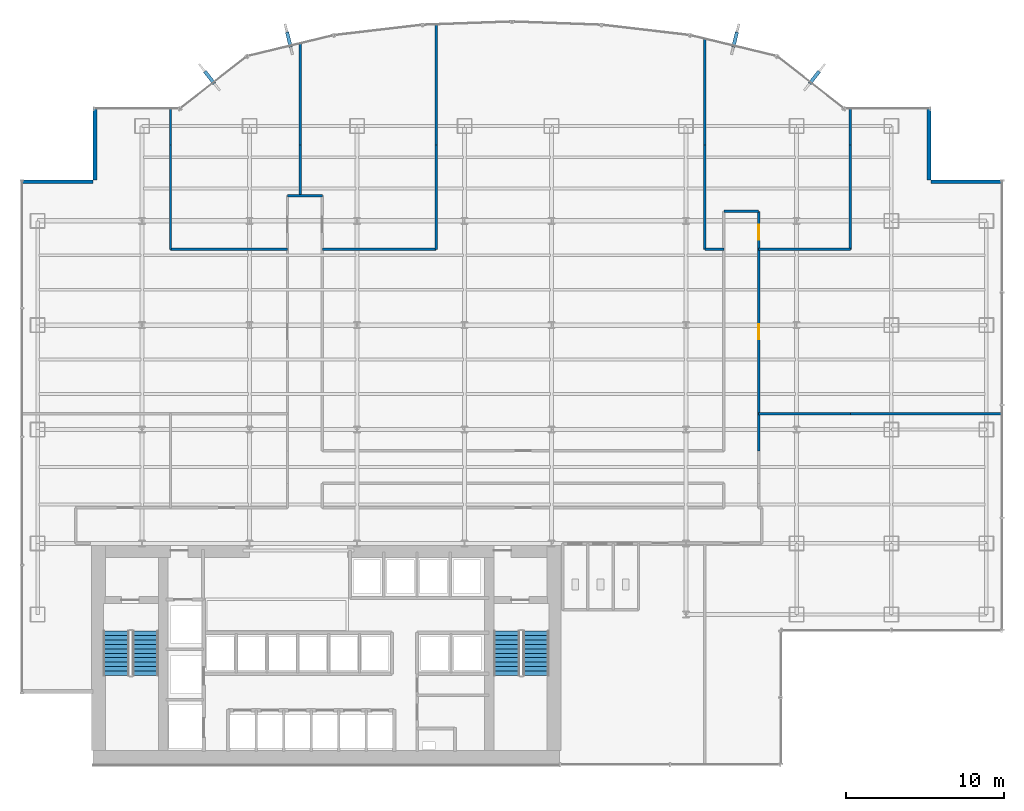
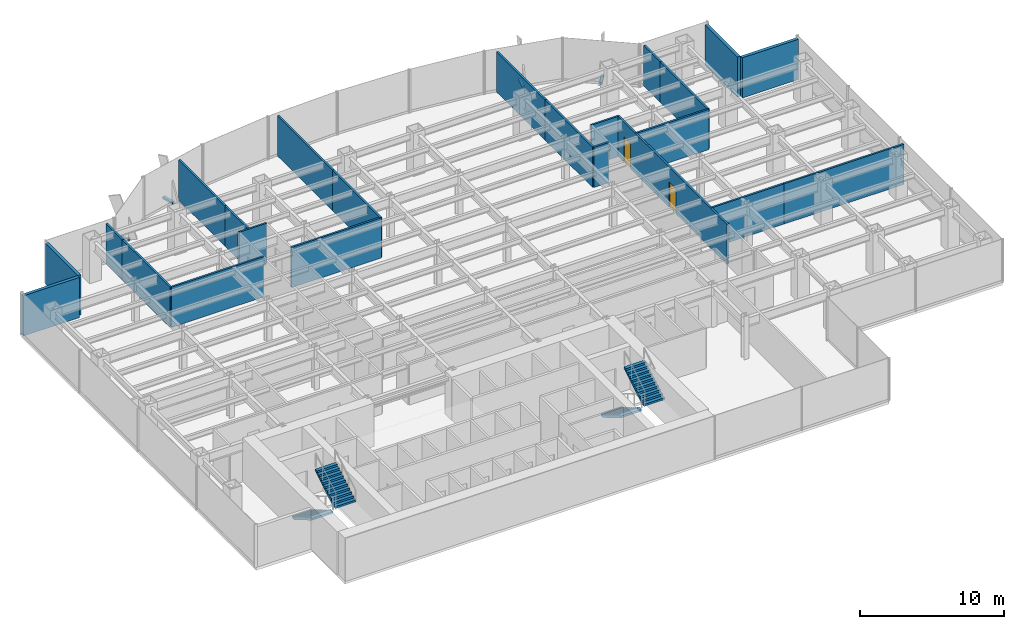
# One storey, part 19 of 22: 23 walls, 4 discrete accessories, 4 stair flights, 2 doors, 2 openings, 2 elements without a shape of their own.
"""IFC4 building model written with IfcOpenShell, lengths in metres."""

from ifc_helpers import new_model, si_unit, derived_unit, direction, frame, frame_2d, origin, origin_2d, place, context, subcontext, project, spatial, polyline, rectangle, outline, extrude, source, transform, mapped, material, layer, layer_set, type_object, element, fill, aggregate, save


model = new_model("IFC4")

# Units and contexts
model_context = context("Model", 3, precision=1e-05, world=origin(), true_north=direction((0.0, 1.0)))
body_context = subcontext(model_context, "Body", "Model", "MODEL_VIEW")
ifc_project = project(units=[si_unit("LENGTHUNIT", "METRE"), si_unit("AREAUNIT", "SQUARE_METRE"), si_unit("VOLUMEUNIT", "CUBIC_METRE"), si_unit("PLANEANGLEUNIT", "RADIAN"), si_unit("MASSUNIT", "GRAM", prefix="KILO"), derived_unit("THERMALTRANSMITTANCEUNIT", [(si_unit("POWERUNIT", "WATT"), 1), (si_unit("LENGTHUNIT", "METRE"), -2), (si_unit("THERMODYNAMICTEMPERATUREUNIT", "KELVIN"), -1)])], contexts=[model_context])

# Site, building, storey
site_placement = place(None, origin())
site = spatial("IfcSite", under=ifc_project, at=site_placement, CompositionType="ELEMENT")
building_placement = place(site_placement, origin())
building = spatial("IfcBuilding", under=site, at=building_placement, Name="Skarnbrae Concourse Arena and Tower", CompositionType="ELEMENT")
storey_placement = place(building_placement, frame((0.0, 0.0, 58.050048828125)))
storey = spatial("IfcBuildingStorey", under=building, at=storey_placement, Name="L13", CompositionType="ELEMENT", Elevation=58.050048828125)

# Walls
ifc_material_1 = material(Name="Precast concrete 40 MPa (C40/50)", Category="concrete")
ifc_layer_1 = layer(ifc_material_1, 0.25)
ifc_layer_set_1 = layer_set([ifc_layer_1], Name="Precast concrete 40 MPa (C40/50)")
wall_type_1 = type_object("IfcWallType", Name="WALL-EXT-SPANDREL-250", PredefinedType="STANDARD", material=ifc_layer_set_1)
shared_shape_1 = source(origin(), body_context, "Body", "SweptSolid", [
    extrude(rectangle(XDim=4.5, YDim=0.25, at=frame_2d((2.25, 0.0))), origin(), (0.0, 0.0, 1.0), 3.39990234375),
])
for number, where, z_axis, x_axis, name in (
    (1, (62.0, 36.875, 0.0), (0.0, 0.0, 1.0), (-1.0, 0.0, 0.0), "L13 Notched corner insulated return wall 05"),
    (2, (57.375, 37.0, 0.0), (0.0, 0.0, 1.0), (0.0, 1.0, 0.0), "L13 Notched corner insulated return wall 06"),
    (3, (4.625, 41.5, 0.0), (0.0, 0.0, 1.0), (0.0, -1.0, 0.0), "L13 Notched corner insulated return wall 17"),
    (4, (4.5, 36.875, 0.0), (0.0, 0.0, 1.0), (-1.0, 0.0, 0.0), "L13 Notched corner insulated return wall 18"),
):
    element("IfcWall", number, at=place(storey_placement, frame(where, z_axis=z_axis, x_axis=x_axis)), inside=storey, type_object=wall_type_1, Name=name, PredefinedType="STANDARD", context=body_context, shape_type="MappedRepresentation", body=[
        mapped(shared_shape_1, transform((0.0, 0.0, 0.0))),
    ])
ifc_material_2 = material(Name="Gypsum board on cold-formed steel studs", Category="steel")
ifc_layer_2 = layer(ifc_material_2, 0.14990234375)
ifc_layer_set_2 = layer_set([ifc_layer_2], Name="Gypsum board on cold-formed steel studs")
wall_type_2 = type_object("IfcWallType", Name="WALL-PART-150-1HR", PredefinedType="PARTITIONING", material=ifc_layer_set_2)
shared_shape_2 = source(origin(), body_context, "Body", "SweptSolid", [
    extrude(rectangle(XDim=2.2001953125, YDim=0.14990234375, at=frame_2d((1.10009765625, 0.0))), origin(), (0.0, 0.0, 1.0), 3.39990234375),
])
wall_1_placement = place(storey_placement, frame((44.39990234375, 35.0, 0.0), z_axis=(0.0, 0.0, 1.0), x_axis=(1.0, 0.0, 0.0)))
element("IfcWall", 5, at=wall_1_placement, inside=storey, type_object=wall_type_2, Name="L13 Interior partition wall W-L13-COR-11", PredefinedType="PARTITIONING", context=body_context, shape_type="MappedRepresentation", body=[
    mapped(shared_shape_2, transform((0.0, 0.0, 0.0))),
])
shared_shape_3 = source(origin(), body_context, "Body", "SweptSolid", [
    extrude(rectangle(XDim=2.199951171875, YDim=0.14990234375, at=frame_2d((1.10009765625, 0.0))), origin(), (0.0, 0.0, 1.0), 3.39990234375),
])
wall_2_placement = place(storey_placement, frame((16.800048828125, 36.0, 0.0), z_axis=(0.0, 0.0, 1.0), x_axis=(1.0, 0.0, 0.0)))
element("IfcWall", 6, at=wall_2_placement, inside=storey, type_object=wall_type_2, Name="L13 Interior partition wall W-L13-COR-07", PredefinedType="PARTITIONING", context=body_context, shape_type="MappedRepresentation", body=[
    mapped(shared_shape_3, transform((0.0, 0.0, 0.0))),
])

# Wall, openings, doors
shared_shape_4 = source(origin(), body_context, "Body", "SweptSolid", [
    extrude(rectangle(XDim=15.14990234375, YDim=0.14990234375, at=frame_2d((7.574951171875, 0.0))), origin(), (0.0, 0.0, 1.0), 3.39990234375),
])
wall_3_placement = place(storey_placement, frame((46.60009765625, 35.0, 0.0), z_axis=(0.0, 0.0, 1.0), x_axis=(0.0, -1.0, 0.0)))
wall_3 = element("IfcWall", 7, at=wall_3_placement, inside=storey, type_object=wall_type_2, Name="L13 Interior partition wall W-L13-COR-12", PredefinedType="PARTITIONING", context=body_context, shape_type="MappedRepresentation", body=[
    mapped(shared_shape_4, transform((0.0, 0.0, 0.0))),
])
opening_1_placement = place(wall_3_placement, frame((0.85498046875, 0.0, 0.0)))
opening_1 = element("IfcOpeningElement", 8, at=opening_1_placement, cuts=wall_3, Name="Opening DT-04", PredefinedType="OPENING", context=body_context, shape_type="SweptSolid", body=[
    extrude(rectangle(XDim=0.949951171875, YDim=2.14990234375, at=frame_2d((0.47509765625, 1.074951171875))), frame((0.0, 0.0849609375, 0.0), z_axis=(0.0, -1.0, 0.0), x_axis=(1.0, 0.0, 0.0)), (0.0, 0.0, 1.0), 0.169921875),
])
opening_2_placement = place(wall_3_placement, frame((7.125, 0.0, 0.0)))
opening_2 = element("IfcOpeningElement", 9, at=opening_2_placement, cuts=wall_3, Name="Opening DT-04", PredefinedType="OPENING", context=body_context, shape_type="SweptSolid", body=[
    extrude(rectangle(XDim=0.949951171875, YDim=2.14990234375, at=frame_2d((0.47509765625, 1.074951171875))), frame((0.0, 0.0849609375, 0.0), z_axis=(0.0, -1.0, 0.0), x_axis=(1.0, 0.0, 0.0)), (0.0, 0.0, 1.0), 0.169921875),
])
ifc_material_3 = material(Name="Steel CSA G40.21 350W", Category="steel")
door_type = type_object("IfcDoorType", Name="DOOR-INT-950-45M", OperationType="NOTDEFINED", PredefinedType="DOOR", material=ifc_material_3)
shared_shape_5 = source(origin(), body_context, "Body", "SweptSolid", [
    extrude(rectangle(XDim=0.949951171875, YDim=2.14990234375, at=frame_2d((0.47509765625, 1.074951171875))), frame((0.0, 0.02490234375, 0.0), z_axis=(0.0, -1.0, 0.0), x_axis=(1.0, 0.0, 0.0)), (0.0, 0.0, 1.0), 0.050048828125),
])
door_1_placement = place(opening_1_placement, origin())
door_1 = element("IfcDoor", 10, at=door_1_placement, inside=storey, type_object=door_type, Name="D-0547 L13 Suite Door 09", OperationType="SINGLE_SWING_RIGHT", OverallHeight=2.14990234375, OverallWidth=0.949951171875, PredefinedType="DOOR", context=body_context, shape_type="MappedRepresentation", body=[
    mapped(shared_shape_5, transform((0.0, 0.0, 0.0))),
])
fill(opening_1, door_1)
door_2_placement = place(opening_2_placement, origin())
door_2 = element("IfcDoor", 11, at=door_2_placement, inside=storey, type_object=door_type, Name="D-0549 L13 Suite Door 11", OperationType="SINGLE_SWING_RIGHT", OverallHeight=2.14990234375, OverallWidth=0.949951171875, PredefinedType="DOOR", context=body_context, shape_type="MappedRepresentation", body=[
    mapped(shared_shape_5, transform((0.0, 0.0, 0.0))),
])
fill(opening_2, door_2)

# Walls
ifc_layer_3 = layer(ifc_material_2, 0.14990234375)
ifc_layer_set_3 = layer_set([ifc_layer_3], Name="Gypsum board on cold-formed steel studs")
wall_type_3 = type_object("IfcWallType", Name="WALL-PART-150", PredefinedType="PARTITIONING", material=ifc_layer_set_3)
shared_shape_6 = source(origin(), body_context, "Body", "SweptSolid", [
    extrude(rectangle(XDim=7.400146484375, YDim=0.14990234375, at=frame_2d((3.7001953125, 0.0))), origin(), (0.0, 0.0, 1.0), 3.39990234375),
])
wall_4_placement = place(storey_placement, frame((9.39990234375, 32.60009765625, 0.0), z_axis=(0.0, 0.0, 1.0), x_axis=(1.0, 0.0, 0.0)))
element("IfcWall", 12, at=wall_4_placement, inside=storey, type_object=wall_type_3, Name="L13 Interior partition wall W-L13-DEM-27", PredefinedType="PARTITIONING", context=body_context, shape_type="MappedRepresentation", body=[
    mapped(shared_shape_6, transform((0.0, 0.0, 0.0))),
])
shared_shape_7 = source(origin(), body_context, "Body", "SweptSolid", [
    extrude(rectangle(XDim=2.280029296875, YDim=0.14990234375, at=frame_2d((1.14013671875, 0.0))), origin(), (0.0, 0.0, 1.0), 3.39990234375),
])
for number, where, z_axis, x_axis, name in (
    (13, (9.39990234375, 41.47998046875, 0.0), (0.0, 0.0, 1.0), (0.0, -1.0, 0.0), "L13 Interior partition wall W-L13-DEM-25"),
    (14, (52.39990234375, 41.47998046875, 0.0), (0.0, 0.0, 1.0), (0.0, -1.0, 0.0), "L13 Interior partition wall W-L13-DEM-39"),
):
    element("IfcWall", number, at=place(storey_placement, frame(where, z_axis=z_axis, x_axis=x_axis)), inside=storey, type_object=wall_type_3, Name=name, PredefinedType="PARTITIONING", context=body_context, shape_type="MappedRepresentation", body=[
        mapped(shared_shape_7, transform((0.0, 0.0, 0.0))),
    ])
shared_shape_8 = source(origin(), body_context, "Body", "SweptSolid", [
    extrude(rectangle(XDim=6.599853515625, YDim=0.14990234375, at=frame_2d((3.2998046875, 0.0))), origin(), (0.0, 0.0, 1.0), 3.39990234375),
])
for number, where, z_axis, x_axis, name in (
    (15, (9.39990234375, 39.199951171875, 0.0), (0.0, 0.0, 1.0), (0.0, -1.0, 0.0), "L13 Interior partition wall W-L13-DEM-26"),
    (16, (26.199951171875, 39.199951171875, 0.0), (0.0, 0.0, 1.0), (0.0, -1.0, 0.0), "L13 Interior partition wall W-L13-DEM-31"),
    (17, (43.199951171875, 39.199951171875, 0.0), (0.0, 0.0, 1.0), (0.0, -1.0, 0.0), "L13 Interior partition wall W-L13-DEM-35"),
    (18, (52.39990234375, 39.199951171875, 0.0), (0.0, 0.0, 1.0), (0.0, -1.0, 0.0), "L13 Interior partition wall W-L13-DEM-40"),
):
    element("IfcWall", number, at=place(storey_placement, frame(where, z_axis=z_axis, x_axis=x_axis)), inside=storey, type_object=wall_type_3, Name=name, PredefinedType="PARTITIONING", context=body_context, shape_type="MappedRepresentation", body=[
        mapped(shared_shape_8, transform((0.0, 0.0, 0.0))),
    ])
shared_shape_9 = source(origin(), body_context, "Body", "SweptSolid", [
    extrude(rectangle(XDim=6.4052734375, YDim=0.14990234375, at=frame_2d((3.20263671875, 0.0))), origin(), (0.0, 0.0, 1.0), 3.39990234375),
])
wall_5_placement = place(storey_placement, frame((17.60009765625, 45.605224609375, 0.0), z_axis=(0.0, 0.0, 1.0), x_axis=(0.0, -1.0, 0.0)))
element("IfcWall", 19, at=wall_5_placement, inside=storey, type_object=wall_type_3, Name="L13 Interior partition wall W-L13-DEM-28", PredefinedType="PARTITIONING", context=body_context, shape_type="MappedRepresentation", body=[
    mapped(shared_shape_9, transform((0.0, 0.0, 0.0))),
])
shared_shape_10 = source(origin(), body_context, "Body", "SweptSolid", [
    extrude(rectangle(XDim=3.199951171875, YDim=0.14990234375, at=frame_2d((1.60009765625, 0.0))), origin(), (0.0, 0.0, 1.0), 3.39990234375),
])
wall_6_placement = place(storey_placement, frame((17.60009765625, 39.199951171875, 0.0), z_axis=(0.0, 0.0, 1.0), x_axis=(0.0, -1.0, 0.0)))
element("IfcWall", 20, at=wall_6_placement, inside=storey, type_object=wall_type_3, Name="L13 Interior partition wall W-L13-DEM-29", PredefinedType="PARTITIONING", context=body_context, shape_type="MappedRepresentation", body=[
    mapped(shared_shape_10, transform((0.0, 0.0, 0.0))),
])
shared_shape_11 = source(origin(), body_context, "Body", "SweptSolid", [
    extrude(rectangle(XDim=7.607666015625, YDim=0.14990234375, at=frame_2d((3.8037109375, 0.0))), origin(), (0.0, 0.0, 1.0), 3.39990234375),
])
wall_7_placement = place(storey_placement, frame((26.199951171875, 46.8076171875, 0.0), z_axis=(0.0, 0.0, 1.0), x_axis=(0.0, -1.0, 0.0)))
element("IfcWall", 21, at=wall_7_placement, inside=storey, type_object=wall_type_3, Name="L13 Interior partition wall W-L13-DEM-30", PredefinedType="PARTITIONING", context=body_context, shape_type="MappedRepresentation", body=[
    mapped(shared_shape_11, transform((0.0, 0.0, 0.0))),
])
shared_shape_12 = source(origin(), body_context, "Body", "SweptSolid", [
    extrude(rectangle(XDim=7.199951171875, YDim=0.14990234375, at=frame_2d((3.60009765625, 0.0))), origin(), (0.0, 0.0, 1.0), 3.39990234375),
])
wall_8_placement = place(storey_placement, frame((26.199951171875, 32.60009765625, 0.0), z_axis=(0.0, 0.0, 1.0), x_axis=(-1.0, 0.0, 0.0)))
element("IfcWall", 22, at=wall_8_placement, inside=storey, type_object=wall_type_3, Name="L13 Interior partition wall W-L13-DEM-32", PredefinedType="PARTITIONING", context=body_context, shape_type="MappedRepresentation", body=[
    mapped(shared_shape_12, transform((0.0, 0.0, 0.0))),
])
shared_shape_13 = source(origin(), body_context, "Body", "SweptSolid", [
    extrude(rectangle(XDim=6.695556640625, YDim=0.14990234375, at=frame_2d((3.34765625, 0.0))), origin(), (0.0, 0.0, 1.0), 3.39990234375),
])
wall_9_placement = place(storey_placement, frame((43.199951171875, 45.8955078125, 0.0), z_axis=(0.0, 0.0, 1.0), x_axis=(0.0, -1.0, 0.0)))
element("IfcWall", 23, at=wall_9_placement, inside=storey, type_object=wall_type_3, Name="L13 Interior partition wall W-L13-DEM-34", PredefinedType="PARTITIONING", context=body_context, shape_type="MappedRepresentation", body=[
    mapped(shared_shape_13, transform((0.0, 0.0, 0.0))),
])
shared_shape_14 = source(origin(), body_context, "Body", "SweptSolid", [
    extrude(rectangle(XDim=1.199951171875, YDim=0.14990234375, at=frame_2d((0.60009765625, 0.0))), origin(), (0.0, 0.0, 1.0), 3.39990234375),
])
wall_10_placement = place(storey_placement, frame((43.199951171875, 32.60009765625, 0.0), z_axis=(0.0, 0.0, 1.0), x_axis=(1.0, 0.0, 0.0)))
element("IfcWall", 24, at=wall_10_placement, inside=storey, type_object=wall_type_3, Name="L13 Interior partition wall W-L13-DEM-36", PredefinedType="PARTITIONING", context=body_context, shape_type="MappedRepresentation", body=[
    mapped(shared_shape_14, transform((0.0, 0.0, 0.0))),
])
shared_shape_15 = source(origin(), body_context, "Body", "SweptSolid", [
    extrude(rectangle(XDim=5.7998046875, YDim=0.14990234375, at=frame_2d((2.89990234375, 0.0))), origin(), (0.0, 0.0, 1.0), 3.39990234375),
])
for number, where, z_axis, x_axis, name in (
    (25, (46.60009765625, 22.199951171875, 0.0), (0.0, 0.0, 1.0), (1.0, 0.0, 0.0), "L13 Interior partition wall W-L13-DEM-37"),
    (26, (52.39990234375, 32.60009765625, 0.0), (0.0, 0.0, 1.0), (-1.0, 0.0, 0.0), "L13 Interior partition wall W-L13-DEM-41"),
):
    element("IfcWall", number, at=place(storey_placement, frame(where, z_axis=z_axis, x_axis=x_axis)), inside=storey, type_object=wall_type_3, Name=name, PredefinedType="PARTITIONING", context=body_context, shape_type="MappedRepresentation", body=[
        mapped(shared_shape_15, transform((0.0, 0.0, 0.0))),
    ])
shared_shape_16 = source(origin(), body_context, "Body", "SweptSolid", [
    extrude(rectangle(XDim=9.580078125, YDim=0.14990234375, at=frame_2d((4.7900390625, 0.0))), origin(), (0.0, 0.0, 1.0), 3.39990234375),
])
wall_11_placement = place(storey_placement, frame((52.39990234375, 22.199951171875, 0.0), z_axis=(0.0, 0.0, 1.0), x_axis=(1.0, 0.0, 0.0)))
element("IfcWall", 27, at=wall_11_placement, inside=storey, type_object=wall_type_3, Name="L13 Interior partition wall W-L13-DEM-38", PredefinedType="PARTITIONING", context=body_context, shape_type="MappedRepresentation", body=[
    mapped(shared_shape_16, transform((0.0, 0.0, 0.0))),
])

# Stair, stair flights
ifc_material_4 = material(Name="Concrete 40 MPa (C40/50)", Category="concrete")
stair_type = type_object("IfcStairType", Name="STAIR-DOGLEG-1650", PredefinedType="HALF_TURN_STAIR", material=ifc_material_4)
stair_1_placement = place(storey_placement, origin())
stair_1 = element("IfcStair", 28, at=stair_1_placement, inside=storey, type_object=stair_type, Name="L13 Protected Exit Stair ST-1", PredefinedType="HALF_TURN_STAIR")
stair_flight_type = type_object("IfcStairFlightType", Name="FLIGHT-STRAIGHT-1650", PredefinedType="STRAIGHT", material=ifc_material_4)
shared_shape_17 = source(origin(), body_context, "Body", "SweptSolid", [
    extrude(outline(polyline([(0.0, 0.0), (0.0, 0.166015625), (0.280029296875, 0.166015625), (0.280029296875, 0.331787109375), (0.56005859375, 0.331787109375), (0.56005859375, 0.497802734375), (0.840087890625, 0.497802734375), (0.840087890625, 0.66357421875), (1.1201171875, 0.66357421875), (1.1201171875, 0.82958984375), (1.39990234375, 0.82958984375), (1.39990234375, 0.995361328125), (1.679931640625, 0.995361328125), (1.679931640625, 1.161376953125), (1.9599609375, 1.161376953125), (1.9599609375, 1.327392578125), (2.239990234375, 1.327392578125), (2.239990234375, 1.4931640625), (2.52001953125, 1.4931640625), (2.52001953125, 1.6591796875), (2.800048828125, 1.6591796875), (2.800048828125, 1.824951171875), (2.800048828125, 1.48486328125), (0.2939453125, 0.0), (0.0, 0.0)])), frame((0.0, 0.824951171875, 0.0), z_axis=(0.0, -1.0, 0.0), x_axis=(1.0, 0.0, 0.0)), (0.0, 0.0, 1.0), 1.64990234375),
])
stair_flight_1_placement = place(storey_placement, frame((5.97509765625, 8.449951171875, 0.0), z_axis=(0.0, 0.0, 1.0), x_axis=(0.0, -1.0, 0.0)))
stair_flight_1 = element("IfcStairFlight", 29, at=stair_flight_1_placement, type_object=stair_flight_type, Name="ST-1 flight 1", NumberOfRisers=11, NumberOfTreads=10, PredefinedType="STRAIGHT", RiserHeight=0.165909091, TreadLength=0.28, context=body_context, shape_type="MappedRepresentation", body=[
    mapped(shared_shape_17, transform((0.0, 0.0, 0.0))),
])
stair_flight_2_placement = place(storey_placement, frame((7.824951171875, 5.64990234375, 1.824951171875), z_axis=(0.0, 0.0, 1.0), x_axis=(0.0, 1.0, 0.0)))
stair_flight_2 = element("IfcStairFlight", 30, at=stair_flight_2_placement, type_object=stair_flight_type, Name="ST-1 flight 2", NumberOfRisers=11, NumberOfTreads=10, PredefinedType="STRAIGHT", RiserHeight=0.165909091, TreadLength=0.28, context=body_context, shape_type="MappedRepresentation", body=[
    mapped(shared_shape_17, transform((0.0, 0.0, 0.0))),
])
aggregate(stair_1, [stair_flight_1, stair_flight_2])

stair_2_placement = place(storey_placement, origin())
stair_2 = element("IfcStair", 31, at=stair_2_placement, inside=storey, type_object=stair_type, Name="L13 Protected Exit Stair ST-2", PredefinedType="HALF_TURN_STAIR")
stair_flight_3_placement = place(storey_placement, frame((30.675048828125, 8.449951171875, 0.0), z_axis=(0.0, 0.0, 1.0), x_axis=(0.0, -1.0, 0.0)))
stair_flight_3 = element("IfcStairFlight", 32, at=stair_flight_3_placement, type_object=stair_flight_type, Name="ST-2 flight 1", NumberOfRisers=11, NumberOfTreads=10, PredefinedType="STRAIGHT", RiserHeight=0.165909091, TreadLength=0.28, context=body_context, shape_type="MappedRepresentation", body=[
    mapped(shared_shape_17, transform((0.0, 0.0, 0.0))),
])
stair_flight_4_placement = place(storey_placement, frame((32.52490234375, 5.64990234375, 1.824951171875), z_axis=(0.0, 0.0, 1.0), x_axis=(0.0, 1.0, 0.0)))
stair_flight_4 = element("IfcStairFlight", 33, at=stair_flight_4_placement, type_object=stair_flight_type, Name="ST-2 flight 2", NumberOfRisers=11, NumberOfTreads=10, PredefinedType="STRAIGHT", RiserHeight=0.165909091, TreadLength=0.28, context=body_context, shape_type="MappedRepresentation", body=[
    mapped(shared_shape_17, transform((0.0, 0.0, 0.0))),
])
aggregate(stair_2, [stair_flight_3, stair_flight_4])

# Discrete accessories
ifc_material_5 = material(Name="Bronze anodised aluminium 6063-T6", Category="aluminium")
discrete_accessory_type = type_object("IfcDiscreteAccessoryType", Name="ACC-FIN-BRACKET", PredefinedType="BRACKET", material=ifc_material_5)
shared_shape_18 = source(origin(), body_context, "Body", "SweptSolid", [
    extrude(rectangle(XDim=0.219970703125, YDim=0.97998046875, at=origin_2d()), origin(), (0.0, 0.0, 1.0), 0.179931640625),
])
for number, where, z_axis, x_axis, name in (
    (34, (50.129638671875, 43.470947265625, -0.02978515625), (0.0, 0.0, 1.0), (0.787656027369, -0.616115234797, 0.0), "L13 Bronze fin foot support bracket 08"),
    (35, (45.11328125, 45.864990234375, -0.02978515625), (0.0, 0.0, 1.0), (0.971973311258, -0.235091221021, 0.0), "L13 Bronze fin foot support bracket 09"),
    (36, (16.88671875, 45.864990234375, -0.02978515625), (0.0, 0.0, 1.0), (0.971973311258, 0.235091221021, 0.0), "L13 Bronze fin foot support bracket 14"),
    (37, (11.870361328125, 43.470947265625, -0.02978515625), (0.0, 0.0, 1.0), (0.787656027369, 0.616115234797, 0.0), "L13 Bronze fin foot support bracket 15"),
):
    element("IfcDiscreteAccessory", number, at=place(storey_placement, frame(where, z_axis=z_axis, x_axis=x_axis)), inside=storey, type_object=discrete_accessory_type, Name=name, PredefinedType="BRACKET", context=body_context, shape_type="MappedRepresentation", body=[
        mapped(shared_shape_18, transform((0.0, 0.0, 0.0))),
    ])

save(model, "model.ifc")
